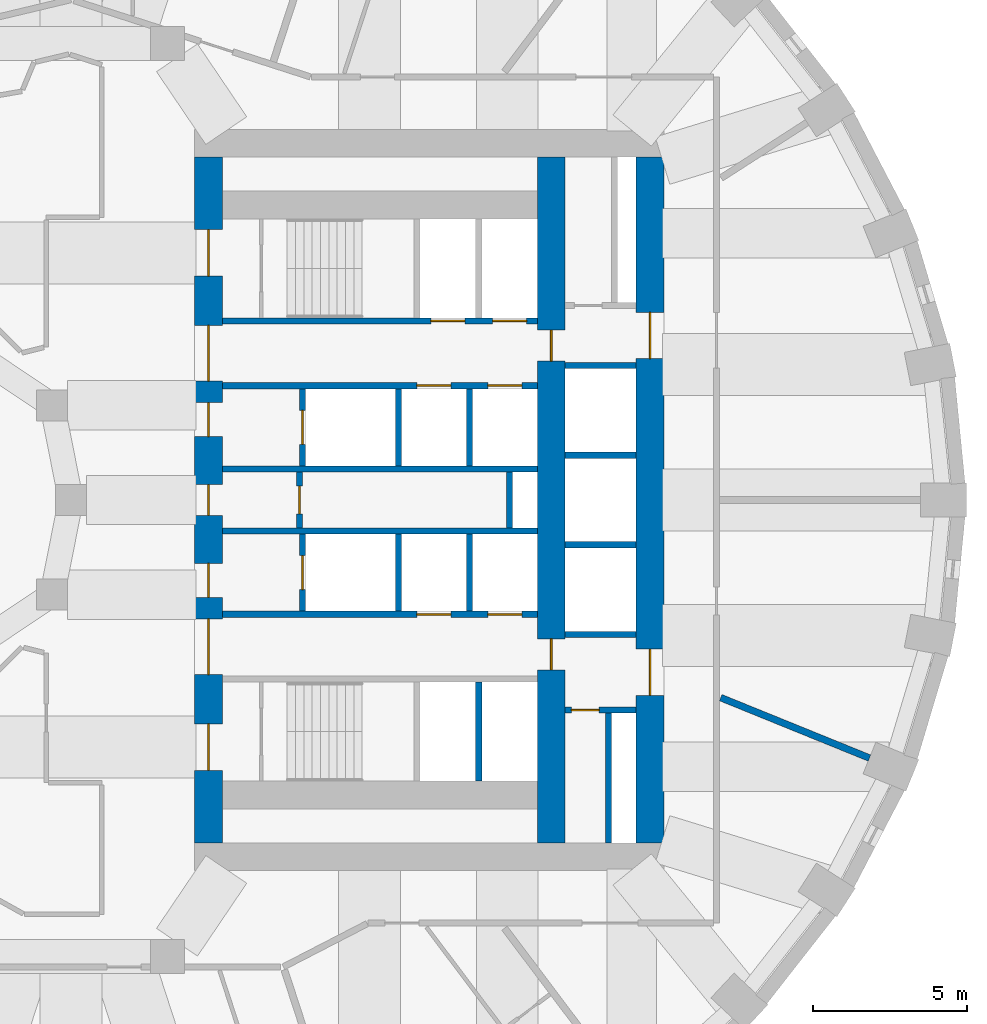
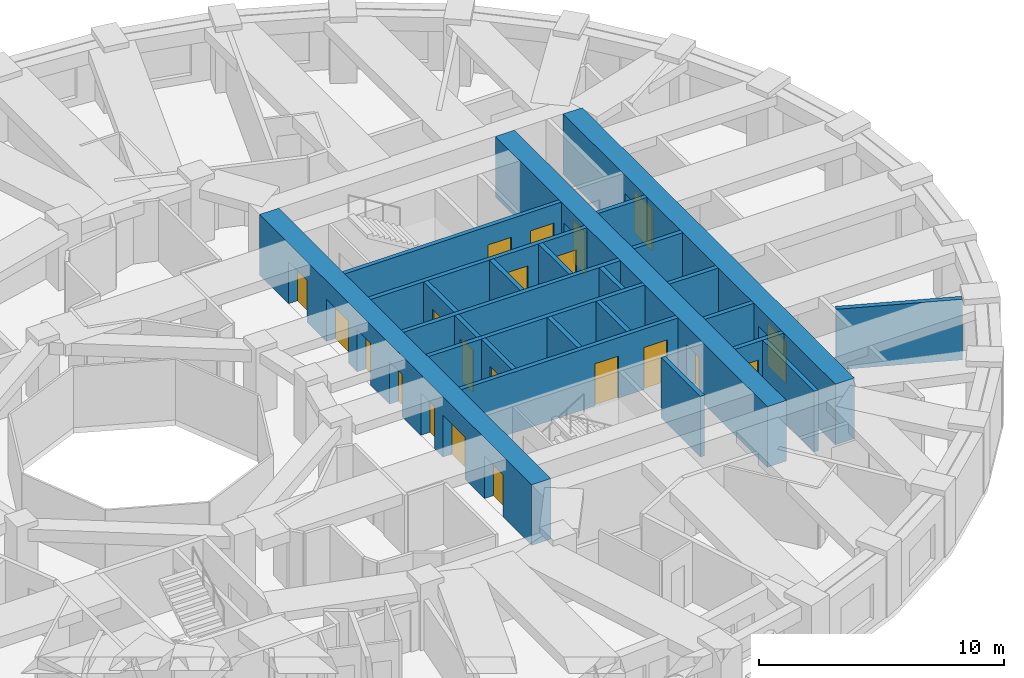
# One storey, part 6 of 13: 24 walls, 21 doors, 21 openings.
"""IFC4 building model written with IfcOpenShell, lengths in metres."""

from ifc_helpers import new_model, si_unit, direction, frame, frame_2d, origin, place, context, subcontext, project, spatial, rectangle, extrude, material, layer, layer_set, type_object, element, fill, save


model = new_model("IFC4")

# Units and contexts
model_context = context("Model", 3, precision=1e-05, world=origin(), true_north=direction((0.0, 1.0)))
body_context = subcontext(model_context, "Body", "Model", "MODEL_VIEW")
ifc_project = project(units=[si_unit("LENGTHUNIT", "METRE"), si_unit("AREAUNIT", "SQUARE_METRE"), si_unit("VOLUMEUNIT", "CUBIC_METRE"), si_unit("PLANEANGLEUNIT", "RADIAN"), si_unit("MASSUNIT", "GRAM", prefix="KILO")], contexts=[model_context])

# Site, building, storey
site_placement = place(None, origin())
site = spatial("IfcSite", under=ifc_project, at=site_placement, CompositionType="ELEMENT")
building_placement = place(site_placement, origin())
building = spatial("IfcBuilding", under=site, at=building_placement, Name="Taillehof Tower", CompositionType="ELEMENT")
storey_placement = place(building_placement, frame((0.0, 0.0, 71.199951171875)))
storey = spatial("IfcBuildingStorey", under=building, at=storey_placement, Name="L19", CompositionType="ELEMENT", Elevation=71.199951171875)

# Wall, opening, door
ifc_material_1 = material(Name="Calcium silicate masonry", Category="masonry")
ifc_layer_1 = layer(ifc_material_1, 0.199951171875)
ifc_layer_set_1 = layer_set([ifc_layer_1], Name="Compartment wall calcium silicate 200")
wall_type_1 = type_object("IfcWallType", Name="Compartment wall calcium silicate 200", PredefinedType="PARTITIONING", material=ifc_layer_set_1)
wall_1_placement = place(storey_placement, frame((7.39990234375, -0.89990234375, 0.0), z_axis=(0.0, 0.0, 1.0), x_axis=(0.0, 1.0, 0.0)))
wall_1 = element("IfcWall", 1, at=wall_1_placement, inside=storey, type_object=wall_type_1, Name="Compartment wall FW", PredefinedType="PARTITIONING", context=body_context, shape_type="SweptSolid", body=[
    extrude(rectangle(XDim=1.7998046875, YDim=0.199951171875, at=frame_2d((0.89990234375, 0.0))), origin(), (0.0, 0.0, 1.0), 3.02001953125),
])
opening_1_placement = place(wall_1_placement, frame((0.449951171875, 0.0, 0.0)))
opening_1 = element("IfcOpeningElement", 2, at=opening_1_placement, cuts=wall_1, Name="Opening D1914", PredefinedType="OPENING", context=body_context, shape_type="SweptSolid", body=[
    extrude(rectangle(XDim=0.89990234375, YDim=2.10009765625, at=frame_2d((0.449951171875, 1.050048828125))), frame((0.0, 0.10986328125, 0.0), z_axis=(0.0, -1.0, 0.0), x_axis=(1.0, 0.0, 0.0)), (0.0, 0.0, 1.0), 0.219970703125),
])
ifc_material_2 = material(Name="Steel-faced fire door", Category="steel")
door_type_1 = type_object("IfcDoorType", Name="Riser and service room door 900x2100", OperationType="SINGLE_SWING_LEFT", PredefinedType="DOOR", material=ifc_material_2)
door_1_placement = place(opening_1_placement, origin())
door_1 = element("IfcDoor", 3, at=door_1_placement, inside=storey, type_object=door_type_1, Name="Door Comms Room", OperationType="SINGLE_SWING_RIGHT", OverallHeight=2.10009765625, OverallWidth=0.89990234375, PredefinedType="DOOR", context=body_context, shape_type="SweptSolid", body=[
    extrude(rectangle(XDim=0.89990234375, YDim=2.10009765625, at=frame_2d((0.449951171875, 1.050048828125))), frame((0.0, 0.02490234375, 0.0), z_axis=(0.0, -1.0, 0.0), x_axis=(1.0, 0.0, 0.0)), (0.0, 0.0, 1.0), 0.050048828125),
])
fill(opening_1, door_1)

# Wall
wall_2_placement = place(storey_placement, frame((14.199951171875, -0.89990234375, 0.0), z_axis=(0.0, 0.0, 1.0), x_axis=(0.0, 1.0, 0.0)))
element("IfcWall", 4, at=wall_2_placement, inside=storey, type_object=wall_type_1, Name="Compartment wall FW", PredefinedType="PARTITIONING", context=body_context, shape_type="SweptSolid", body=[
    extrude(rectangle(XDim=1.7998046875, YDim=0.199951171875, at=frame_2d((0.89990234375, 0.0))), origin(), (0.0, 0.0, 1.0), 3.02001953125),
])

# Wall, opening, door
wall_3_placement = place(storey_placement, frame((16.0, -6.800048828125, 0.0), z_axis=(0.0, 0.0, 1.0), x_axis=(1.0, 0.0, 0.0)))
wall_3 = element("IfcWall", 5, at=wall_3_placement, inside=storey, type_object=wall_type_1, Name="Compartment wall FW", PredefinedType="PARTITIONING", context=body_context, shape_type="SweptSolid", body=[
    extrude(rectangle(XDim=2.300048828125, YDim=0.199951171875, at=frame_2d((1.14990234375, 0.0))), origin(), (0.0, 0.0, 1.0), 3.02001953125),
])
opening_2_placement = place(wall_3_placement, frame((0.199951171875, 0.0, 0.0)))
opening_2 = element("IfcOpeningElement", 6, at=opening_2_placement, cuts=wall_3, Name="Opening D1918", PredefinedType="OPENING", context=body_context, shape_type="SweptSolid", body=[
    extrude(rectangle(XDim=0.89990234375, YDim=2.10009765625, at=frame_2d((0.449951171875, 1.050048828125))), frame((0.0, 0.10986328125, 0.0), z_axis=(0.0, -1.0, 0.0), x_axis=(1.0, 0.0, 0.0)), (0.0, 0.0, 1.0), 0.219970703125),
])
door_2_placement = place(opening_2_placement, origin())
door_2 = element("IfcDoor", 7, at=door_2_placement, inside=storey, type_object=door_type_1, Name="Door Ice Room", OperationType="SINGLE_SWING_LEFT", OverallHeight=2.10009765625, OverallWidth=0.89990234375, PredefinedType="DOOR", context=body_context, shape_type="SweptSolid", body=[
    extrude(rectangle(XDim=0.89990234375, YDim=2.10009765625, at=frame_2d((0.449951171875, 1.050048828125))), frame((0.0, 0.02490234375, 0.0), z_axis=(0.0, -1.0, 0.0), x_axis=(1.0, 0.0, 0.0)), (0.0, 0.0, 1.0), 0.050048828125),
])
fill(opening_2, door_2)

# Walls
wall_4_placement = place(storey_placement, frame((17.39990234375, -11.10009765625, 0.0), z_axis=(0.0, 0.0, 1.0), x_axis=(0.0, 1.0, 0.0)))
element("IfcWall", 8, at=wall_4_placement, inside=storey, type_object=wall_type_1, Name="Compartment wall FW", PredefinedType="PARTITIONING", context=body_context, shape_type="SweptSolid", body=[
    extrude(rectangle(XDim=4.2001953125, YDim=0.199951171875, at=frame_2d((2.10009765625, 0.0))), origin(), (0.0, 0.0, 1.0), 3.02001953125),
])
ifc_material_3 = material(Name="Gypsum board on double steel studs with mineral wool", Category="steel")
ifc_layer_2 = layer(ifc_material_3, 0.219970703125)
ifc_layer_set_2 = layer_set([ifc_layer_2], Name="Compartment wall guest room 220")
wall_type_2 = type_object("IfcWallType", Name="Compartment wall guest room 220", PredefinedType="PARTITIONING", material=ifc_layer_set_2)
wall_5_placement = place(storey_placement, frame((25.851318359375, -8.35400390625, 0.0), z_axis=(0.0, 0.0, 1.0), x_axis=(-0.926545919269, 0.376181684145, 0.0)))
element("IfcWall", 9, at=wall_5_placement, inside=storey, type_object=wall_type_2, Name="Compartment wall", PredefinedType="PARTITIONING", context=body_context, shape_type="SweptSolid", body=[
    extrude(rectangle(XDim=5.19580078125, YDim=0.219970703125, at=frame_2d((2.597900390625, 0.0))), origin(), (0.0, 0.0, 1.0), 3.02001953125),
])

# Wall, openings, doors
ifc_material_4 = material(Name="Concrete C80/95", Category="concrete")
ifc_layer_3 = layer(ifc_material_4, 0.89990234375)
ifc_layer_set_3 = layer_set([ifc_layer_3], Name="Core wall C80/95 900")
wall_type_3 = type_object("IfcWallType", Name="Core wall C80/95 900", PredefinedType="SHEAR", material=ifc_layer_set_3)
wall_6_placement = place(storey_placement, frame((4.449951171875, -11.10009765625, 0.0), z_axis=(0.0, 0.0, 1.0), x_axis=(0.0, 1.0, 0.0)))
wall_6 = element("IfcWall", 10, at=wall_6_placement, inside=storey, type_object=wall_type_3, Name="Core wall CW01", PredefinedType="SHEAR", context=body_context, shape_type="SweptSolid", body=[
    extrude(rectangle(XDim=22.2001953125, YDim=0.89990234375, at=frame_2d((11.10009765625, 0.0))), origin(), (0.0, 0.0, 1.0), 3.02001953125),
])
opening_3_placement = place(wall_6_placement, frame((2.35009765625, 0.0, 0.0)))
opening_3 = element("IfcOpeningElement", 11, at=opening_3_placement, cuts=wall_6, Name="Opening D1901", PredefinedType="OPENING", context=body_context, shape_type="SweptSolid", body=[
    extrude(rectangle(XDim=1.5, YDim=2.10009765625, at=frame_2d((0.75, 1.050048828125))), frame((0.0, 0.4599609375, 0.0), z_axis=(0.0, -1.0, 0.0), x_axis=(1.0, 0.0, 0.0)), (0.0, 0.0, 1.0), 0.919921875),
])
opening_4_placement = place(wall_6_placement, frame((5.449951171875, 0.0, 0.0)))
opening_4 = element("IfcOpeningElement", 12, at=opening_4_placement, cuts=wall_6, Name="Opening D1902", PredefinedType="OPENING", context=body_context, shape_type="SweptSolid", body=[
    extrude(rectangle(XDim=1.800048828125, YDim=2.10009765625, at=frame_2d((0.89990234375, 1.050048828125))), frame((0.0, 0.4599609375, 0.0), z_axis=(0.0, -1.0, 0.0), x_axis=(1.0, 0.0, 0.0)), (0.0, 0.0, 1.0), 0.919921875),
])
opening_5_placement = place(wall_6_placement, frame((7.949951171875, 0.0, 0.0)))
opening_5 = element("IfcOpeningElement", 13, at=opening_5_placement, cuts=wall_6, Name="Opening D1903", PredefinedType="OPENING", context=body_context, shape_type="SweptSolid", body=[
    extrude(rectangle(XDim=1.10009765625, YDim=2.10009765625, at=frame_2d((0.550048828125, 1.050048828125))), frame((0.0, 0.4599609375, 0.0), z_axis=(0.0, -1.0, 0.0), x_axis=(1.0, 0.0, 0.0)), (0.0, 0.0, 1.0), 0.919921875),
])
opening_6_placement = place(wall_6_placement, frame((10.60009765625, 0.0, 0.0)))
opening_6 = element("IfcOpeningElement", 14, at=opening_6_placement, cuts=wall_6, Name="Opening D1904", PredefinedType="OPENING", context=body_context, shape_type="SweptSolid", body=[
    extrude(rectangle(XDim=1.0, YDim=2.10009765625, at=frame_2d((0.5, 1.050048828125))), frame((0.0, 0.4599609375, 0.0), z_axis=(0.0, -1.0, 0.0), x_axis=(1.0, 0.0, 0.0)), (0.0, 0.0, 1.0), 0.919921875),
])
opening_7_placement = place(wall_6_placement, frame((13.14990234375, 0.0, 0.0)))
opening_7 = element("IfcOpeningElement", 15, at=opening_7_placement, cuts=wall_6, Name="Opening D1905", PredefinedType="OPENING", context=body_context, shape_type="SweptSolid", body=[
    extrude(rectangle(XDim=1.10009765625, YDim=2.10009765625, at=frame_2d((0.550048828125, 1.050048828125))), frame((0.0, 0.4599609375, 0.0), z_axis=(0.0, -1.0, 0.0), x_axis=(1.0, 0.0, 0.0)), (0.0, 0.0, 1.0), 0.919921875),
])
opening_8_placement = place(wall_6_placement, frame((14.949951171875, 0.0, 0.0)))
opening_8 = element("IfcOpeningElement", 16, at=opening_8_placement, cuts=wall_6, Name="Opening D1906", PredefinedType="OPENING", context=body_context, shape_type="SweptSolid", body=[
    extrude(rectangle(XDim=1.800048828125, YDim=2.10009765625, at=frame_2d((0.89990234375, 1.050048828125))), frame((0.0, 0.4599609375, 0.0), z_axis=(0.0, -1.0, 0.0), x_axis=(1.0, 0.0, 0.0)), (0.0, 0.0, 1.0), 0.919921875),
])
opening_9_placement = place(wall_6_placement, frame((18.35009765625, 0.0, 0.0)))
opening_9 = element("IfcOpeningElement", 17, at=opening_9_placement, cuts=wall_6, Name="Opening D1907", PredefinedType="OPENING", context=body_context, shape_type="SweptSolid", body=[
    extrude(rectangle(XDim=1.5, YDim=2.10009765625, at=frame_2d((0.75, 1.050048828125))), frame((0.0, 0.4599609375, 0.0), z_axis=(0.0, -1.0, 0.0), x_axis=(1.0, 0.0, 0.0)), (0.0, 0.0, 1.0), 0.919921875),
])
ifc_material_5 = material(Name="Steel-faced fire door", Category="steel")
door_type_2 = type_object("IfcDoorType", Name="Firefighting lobby door 1100x2100", OperationType="SINGLE_SWING_RIGHT", PredefinedType="DOOR", material=ifc_material_5)
door_3_placement = place(opening_5_placement, origin())
door_3 = element("IfcDoor", 18, at=door_3_placement, inside=storey, type_object=door_type_2, Name="Firefighting lobby door FFL-S", OperationType="SINGLE_SWING_RIGHT", OverallHeight=2.10009765625, OverallWidth=1.10009765625, PredefinedType="DOOR", context=body_context, shape_type="SweptSolid", body=[
    extrude(rectangle(XDim=1.10009765625, YDim=2.10009765625, at=frame_2d((0.550048828125, 1.050048828125))), frame((0.0, 0.02490234375, 0.0), z_axis=(0.0, -1.0, 0.0), x_axis=(1.0, 0.0, 0.0)), (0.0, 0.0, 1.0), 0.050048828125),
])
fill(opening_5, door_3)
door_4_placement = place(opening_7_placement, origin())
door_4 = element("IfcDoor", 19, at=door_4_placement, inside=storey, type_object=door_type_2, Name="Firefighting lobby door FFL-N", OperationType="SINGLE_SWING_LEFT", OverallHeight=2.10009765625, OverallWidth=1.10009765625, PredefinedType="DOOR", context=body_context, shape_type="SweptSolid", body=[
    extrude(rectangle(XDim=1.10009765625, YDim=2.10009765625, at=frame_2d((0.550048828125, 1.050048828125))), frame((0.0, 0.02490234375, 0.0), z_axis=(0.0, -1.0, 0.0), x_axis=(1.0, 0.0, 0.0)), (0.0, 0.0, 1.0), 0.050048828125),
])
fill(opening_7, door_4)
ifc_material_6 = material(Name="Steel-faced fire door", Category="steel")
door_type_3 = type_object("IfcDoorType", Name="Lift lobby door 1800x2100", OperationType="DOUBLE_DOOR_SINGLE_SWING", PredefinedType="DOOR", material=ifc_material_6)
door_5_placement = place(opening_4_placement, origin())
door_5 = element("IfcDoor", 20, at=door_5_placement, inside=storey, type_object=door_type_3, Name="Lift lobby door LL-S", OperationType="DOUBLE_DOOR_SINGLE_SWING", OverallHeight=2.10009765625, OverallWidth=1.800048828125, PredefinedType="DOOR", context=body_context, shape_type="SweptSolid", body=[
    extrude(rectangle(XDim=1.800048828125, YDim=2.10009765625, at=frame_2d((0.89990234375, 1.050048828125))), frame((0.0, 0.02490234375, 0.0), z_axis=(0.0, -1.0, 0.0), x_axis=(1.0, 0.0, 0.0)), (0.0, 0.0, 1.0), 0.050048828125),
])
fill(opening_4, door_5)
door_6_placement = place(opening_8_placement, origin())
door_6 = element("IfcDoor", 21, at=door_6_placement, inside=storey, type_object=door_type_3, Name="Lift lobby door LL-N", OperationType="DOUBLE_DOOR_SINGLE_SWING", OverallHeight=2.10009765625, OverallWidth=1.800048828125, PredefinedType="DOOR", context=body_context, shape_type="SweptSolid", body=[
    extrude(rectangle(XDim=1.800048828125, YDim=2.10009765625, at=frame_2d((0.89990234375, 1.050048828125))), frame((0.0, 0.02490234375, 0.0), z_axis=(0.0, -1.0, 0.0), x_axis=(1.0, 0.0, 0.0)), (0.0, 0.0, 1.0), 0.050048828125),
])
fill(opening_8, door_6)
ifc_material_7 = material(Name="Steel-faced fire door", Category="steel")
door_type_4 = type_object("IfcDoorType", Name="Service door 1000x2100", OperationType="SINGLE_SWING_RIGHT", PredefinedType="DOOR", material=ifc_material_7)
door_7_placement = place(opening_6_placement, origin())
door_7 = element("IfcDoor", 22, at=door_7_placement, inside=storey, type_object=door_type_4, Name="Service door SV", OperationType="SINGLE_SWING_RIGHT", OverallHeight=2.10009765625, OverallWidth=1.0, PredefinedType="DOOR", context=body_context, shape_type="SweptSolid", body=[
    extrude(rectangle(XDim=1.0, YDim=2.10009765625, at=frame_2d((0.5, 1.050048828125))), frame((0.0, 0.02490234375, 0.0), z_axis=(0.0, -1.0, 0.0), x_axis=(1.0, 0.0, 0.0)), (0.0, 0.0, 1.0), 0.050048828125),
])
fill(opening_6, door_7)
ifc_material_8 = material(Name="Steel-faced fire door", Category="steel")
door_type_5 = type_object("IfcDoorType", Name="Stair door 1500x2100", OperationType="DOUBLE_DOOR_SINGLE_SWING", PredefinedType="DOOR", material=ifc_material_8)
door_8_placement = place(opening_3_placement, origin())
door_8 = element("IfcDoor", 23, at=door_8_placement, inside=storey, type_object=door_type_5, Name="Stair door S2", OperationType="DOUBLE_DOOR_SINGLE_SWING", OverallHeight=2.10009765625, OverallWidth=1.5, PredefinedType="DOOR", context=body_context, shape_type="SweptSolid", body=[
    extrude(rectangle(XDim=1.5, YDim=2.10009765625, at=frame_2d((0.75, 1.050048828125))), frame((0.0, 0.02490234375, 0.0), z_axis=(0.0, -1.0, 0.0), x_axis=(1.0, 0.0, 0.0)), (0.0, 0.0, 1.0), 0.050048828125),
])
fill(opening_3, door_8)
door_9_placement = place(opening_9_placement, origin())
door_9 = element("IfcDoor", 24, at=door_9_placement, inside=storey, type_object=door_type_5, Name="Stair door S1", OperationType="DOUBLE_DOOR_SINGLE_SWING", OverallHeight=2.10009765625, OverallWidth=1.5, PredefinedType="DOOR", context=body_context, shape_type="SweptSolid", body=[
    extrude(rectangle(XDim=1.5, YDim=2.10009765625, at=frame_2d((0.75, 1.050048828125))), frame((0.0, 0.02490234375, 0.0), z_axis=(0.0, -1.0, 0.0), x_axis=(1.0, 0.0, 0.0)), (0.0, 0.0, 1.0), 0.050048828125),
])
fill(opening_9, door_9)

wall_7_placement = place(storey_placement, frame((18.75, -11.10009765625, 0.0), z_axis=(0.0, 0.0, 1.0), x_axis=(0.0, 1.0, 0.0)))
wall_7 = element("IfcWall", 25, at=wall_7_placement, inside=storey, type_object=wall_type_3, Name="Core wall CW02", PredefinedType="SHEAR", context=body_context, shape_type="SweptSolid", body=[
    extrude(rectangle(XDim=22.2001953125, YDim=0.89990234375, at=frame_2d((11.10009765625, 0.0))), origin(), (0.0, 0.0, 1.0), 3.02001953125),
])
opening_10_placement = place(wall_7_placement, frame((15.675048828125, 0.0, 0.0)))
opening_10 = element("IfcOpeningElement", 26, at=opening_10_placement, cuts=wall_7, Name="Opening D1908", PredefinedType="OPENING", context=body_context, shape_type="SweptSolid", body=[
    extrude(rectangle(XDim=1.5, YDim=2.10009765625, at=frame_2d((0.75, 1.050048828125))), frame((0.0, 0.4599609375, 0.0), z_axis=(0.0, -1.0, 0.0), x_axis=(1.0, 0.0, 0.0)), (0.0, 0.0, 1.0), 0.919921875),
])
opening_11_placement = place(wall_7_placement, frame((4.77490234375, 0.0, 0.0)))
opening_11 = element("IfcOpeningElement", 27, at=opening_11_placement, cuts=wall_7, Name="Opening D1909", PredefinedType="OPENING", context=body_context, shape_type="SweptSolid", body=[
    extrude(rectangle(XDim=1.5, YDim=2.10009765625, at=frame_2d((0.75, 1.050048828125))), frame((0.0, 0.4599609375, 0.0), z_axis=(0.0, -1.0, 0.0), x_axis=(1.0, 0.0, 0.0)), (0.0, 0.0, 1.0), 0.919921875),
])
ifc_material_9 = material(Name="Steel-faced fire door", Category="steel")
door_type_6 = type_object("IfcDoorType", Name="Lift lobby east door 1500x2100", OperationType="DOUBLE_DOOR_SINGLE_SWING", PredefinedType="DOOR", material=ifc_material_9)
door_10_placement = place(opening_10_placement, origin())
door_10 = element("IfcDoor", 28, at=door_10_placement, inside=storey, type_object=door_type_6, Name="Lift lobby east door north", OperationType="DOUBLE_DOOR_SINGLE_SWING", OverallHeight=2.10009765625, OverallWidth=1.5, PredefinedType="DOOR", context=body_context, shape_type="SweptSolid", body=[
    extrude(rectangle(XDim=1.5, YDim=2.10009765625, at=frame_2d((0.75, 1.050048828125))), frame((0.0, 0.02490234375, 0.0), z_axis=(0.0, -1.0, 0.0), x_axis=(1.0, 0.0, 0.0)), (0.0, 0.0, 1.0), 0.050048828125),
])
fill(opening_10, door_10)
door_11_placement = place(opening_11_placement, origin())
door_11 = element("IfcDoor", 29, at=door_11_placement, inside=storey, type_object=door_type_6, Name="Lift lobby east door south", OperationType="DOUBLE_DOOR_SINGLE_SWING", OverallHeight=2.10009765625, OverallWidth=1.5, PredefinedType="DOOR", context=body_context, shape_type="SweptSolid", body=[
    extrude(rectangle(XDim=1.5, YDim=2.10009765625, at=frame_2d((0.75, 1.050048828125))), frame((0.0, 0.02490234375, 0.0), z_axis=(0.0, -1.0, 0.0), x_axis=(1.0, 0.0, 0.0)), (0.0, 0.0, 1.0), 0.050048828125),
])
fill(opening_11, door_11)

wall_8_placement = place(storey_placement, frame((15.550048828125, -11.10009765625, 0.0), z_axis=(0.0, 0.0, 1.0), x_axis=(0.0, 1.0, 0.0)))
wall_8 = element("IfcWall", 30, at=wall_8_placement, inside=storey, type_object=wall_type_3, Name="Core wall CW05", PredefinedType="SHEAR", context=body_context, shape_type="SweptSolid", body=[
    extrude(rectangle(XDim=22.2001953125, YDim=0.89990234375, at=frame_2d((11.10009765625, 0.0))), origin(), (0.0, 0.0, 1.0), 3.02001953125),
])
opening_12_placement = place(wall_8_placement, frame((15.60009765625, 0.0, 0.0)))
opening_12 = element("IfcOpeningElement", 31, at=opening_12_placement, cuts=wall_8, Name="Opening D1915", PredefinedType="OPENING", context=body_context, shape_type="SweptSolid", body=[
    extrude(rectangle(XDim=1.0, YDim=2.10009765625, at=frame_2d((0.5, 1.050048828125))), frame((0.0, 0.4599609375, 0.0), z_axis=(0.0, -1.0, 0.0), x_axis=(1.0, 0.0, 0.0)), (0.0, 0.0, 1.0), 0.919921875),
])
opening_13_placement = place(wall_8_placement, frame((5.60009765625, 0.0, 0.0)))
opening_13 = element("IfcOpeningElement", 32, at=opening_13_placement, cuts=wall_8, Name="Opening D1917", PredefinedType="OPENING", context=body_context, shape_type="SweptSolid", body=[
    extrude(rectangle(XDim=1.0, YDim=2.10009765625, at=frame_2d((0.5, 1.050048828125))), frame((0.0, 0.4599609375, 0.0), z_axis=(0.0, -1.0, 0.0), x_axis=(1.0, 0.0, 0.0)), (0.0, 0.0, 1.0), 0.919921875),
])
door_12_placement = place(opening_12_placement, origin())
door_12 = element("IfcDoor", 33, at=door_12_placement, inside=storey, type_object=door_type_4, Name="Service door strip", OperationType="SINGLE_SWING_RIGHT", OverallHeight=2.10009765625, OverallWidth=1.0, PredefinedType="DOOR", context=body_context, shape_type="SweptSolid", body=[
    extrude(rectangle(XDim=1.0, YDim=2.10009765625, at=frame_2d((0.5, 1.050048828125))), frame((0.0, 0.02490234375, 0.0), z_axis=(0.0, -1.0, 0.0), x_axis=(1.0, 0.0, 0.0)), (0.0, 0.0, 1.0), 0.050048828125),
])
fill(opening_12, door_12)
door_13_placement = place(opening_13_placement, origin())
door_13 = element("IfcDoor", 34, at=door_13_placement, inside=storey, type_object=door_type_4, Name="Service door strip", OperationType="SINGLE_SWING_LEFT", OverallHeight=2.10009765625, OverallWidth=1.0, PredefinedType="DOOR", context=body_context, shape_type="SweptSolid", body=[
    extrude(rectangle(XDim=1.0, YDim=2.10009765625, at=frame_2d((0.5, 1.050048828125))), frame((0.0, 0.02490234375, 0.0), z_axis=(0.0, -1.0, 0.0), x_axis=(1.0, 0.0, 0.0)), (0.0, 0.0, 1.0), 0.050048828125),
])
fill(opening_13, door_13)

ifc_material_10 = material(Name="Concrete C50/60", Category="concrete")
ifc_layer_4 = layer(ifc_material_10, 0.199951171875)
ifc_layer_set_4 = layer_set([ifc_layer_4], Name="Shaft wall C50/60 200")
wall_type_4 = type_object("IfcWallType", Name="Shaft wall C50/60 200", PredefinedType="SHEAR", material=ifc_layer_set_4)
wall_9_placement = place(storey_placement, frame((4.89990234375, 5.800048828125, 0.0), z_axis=(0.0, 0.0, 1.0), x_axis=(1.0, 0.0, 0.0)))
wall_9 = element("IfcWall", 35, at=wall_9_placement, inside=storey, type_object=wall_type_4, Name="Shaft wall SW", PredefinedType="SHEAR", context=body_context, shape_type="SweptSolid", body=[
    extrude(rectangle(XDim=10.2001953125, YDim=0.199951171875, at=frame_2d((5.10009765625, 0.0))), origin(), (0.0, 0.0, 1.0), 3.02001953125),
])
opening_14_placement = place(wall_9_placement, frame((6.75, 0.0, 0.0)))
opening_14 = element("IfcOpeningElement", 36, at=opening_14_placement, cuts=wall_9, Name="Opening LD1", PredefinedType="OPENING", context=body_context, shape_type="SweptSolid", body=[
    extrude(rectangle(XDim=1.10009765625, YDim=2.10009765625, at=frame_2d((0.550048828125, 1.050048828125))), frame((0.0, 0.10986328125, 0.0), z_axis=(0.0, -1.0, 0.0), x_axis=(1.0, 0.0, 0.0)), (0.0, 0.0, 1.0), 0.219970703125),
])
opening_15_placement = place(wall_9_placement, frame((8.75, 0.0, 0.0)))
opening_15 = element("IfcOpeningElement", 37, at=opening_15_placement, cuts=wall_9, Name="Opening LD1", PredefinedType="OPENING", context=body_context, shape_type="SweptSolid", body=[
    extrude(rectangle(XDim=1.10009765625, YDim=2.10009765625, at=frame_2d((0.550048828125, 1.050048828125))), frame((0.0, 0.10986328125, 0.0), z_axis=(0.0, -1.0, 0.0), x_axis=(1.0, 0.0, 0.0)), (0.0, 0.0, 1.0), 0.219970703125),
])
ifc_material_11 = material(Name="Stainless steel", Category="steel")
door_type_7 = type_object("IfcDoorType", Name="Lift landing door LD1 1100x2100", OperationType="DOUBLE_DOOR_SLIDING", PredefinedType="DOOR", material=ifc_material_11)
door_14_placement = place(opening_14_placement, origin())
door_14 = element("IfcDoor", 38, at=door_14_placement, inside=storey, type_object=door_type_7, Name="Landing door LR1", OperationType="DOUBLE_DOOR_SLIDING", OverallHeight=2.10009765625, OverallWidth=1.10009765625, PredefinedType="DOOR", context=body_context, shape_type="SweptSolid", body=[
    extrude(rectangle(XDim=1.10009765625, YDim=2.10009765625, at=frame_2d((0.550048828125, 1.050048828125))), frame((0.0, 0.02490234375, 0.0), z_axis=(0.0, -1.0, 0.0), x_axis=(1.0, 0.0, 0.0)), (0.0, 0.0, 1.0), 0.050048828125),
])
fill(opening_14, door_14)
door_15_placement = place(opening_15_placement, origin())
door_15 = element("IfcDoor", 39, at=door_15_placement, inside=storey, type_object=door_type_7, Name="Landing door LR2", OperationType="DOUBLE_DOOR_SLIDING", OverallHeight=2.10009765625, OverallWidth=1.10009765625, PredefinedType="DOOR", context=body_context, shape_type="SweptSolid", body=[
    extrude(rectangle(XDim=1.10009765625, YDim=2.10009765625, at=frame_2d((0.550048828125, 1.050048828125))), frame((0.0, 0.02490234375, 0.0), z_axis=(0.0, -1.0, 0.0), x_axis=(1.0, 0.0, 0.0)), (0.0, 0.0, 1.0), 0.050048828125),
])
fill(opening_15, door_15)

wall_10_placement = place(storey_placement, frame((4.89990234375, 3.699951171875, 0.0), z_axis=(0.0, 0.0, 1.0), x_axis=(1.0, 0.0, 0.0)))
wall_10 = element("IfcWall", 40, at=wall_10_placement, inside=storey, type_object=wall_type_4, Name="Shaft wall SW", PredefinedType="SHEAR", context=body_context, shape_type="SweptSolid", body=[
    extrude(rectangle(XDim=10.2001953125, YDim=0.199951171875, at=frame_2d((5.10009765625, 0.0))), origin(), (0.0, 0.0, 1.0), 3.02001953125),
])
opening_16_placement = place(wall_10_placement, frame((6.300048828125, 0.0, 0.0)))
opening_16 = element("IfcOpeningElement", 41, at=opening_16_placement, cuts=wall_10, Name="Opening LD1", PredefinedType="OPENING", context=body_context, shape_type="SweptSolid", body=[
    extrude(rectangle(XDim=1.10009765625, YDim=2.10009765625, at=frame_2d((0.550048828125, 1.050048828125))), frame((0.0, 0.10986328125, 0.0), z_axis=(0.0, -1.0, 0.0), x_axis=(1.0, 0.0, 0.0)), (0.0, 0.0, 1.0), 0.219970703125),
])
opening_17_placement = place(wall_10_placement, frame((8.60009765625, 0.0, 0.0)))
opening_17 = element("IfcOpeningElement", 42, at=opening_17_placement, cuts=wall_10, Name="Opening LD1", PredefinedType="OPENING", context=body_context, shape_type="SweptSolid", body=[
    extrude(rectangle(XDim=1.10009765625, YDim=2.10009765625, at=frame_2d((0.550048828125, 1.050048828125))), frame((0.0, 0.10986328125, 0.0), z_axis=(0.0, -1.0, 0.0), x_axis=(1.0, 0.0, 0.0)), (0.0, 0.0, 1.0), 0.219970703125),
])
door_16_placement = place(opening_16_placement, origin())
door_16 = element("IfcDoor", 43, at=door_16_placement, inside=storey, type_object=door_type_7, Name="Landing door LR3", OperationType="DOUBLE_DOOR_SLIDING", OverallHeight=2.10009765625, OverallWidth=1.10009765625, PredefinedType="DOOR", context=body_context, shape_type="SweptSolid", body=[
    extrude(rectangle(XDim=1.10009765625, YDim=2.10009765625, at=frame_2d((0.550048828125, 1.050048828125))), frame((0.0, 0.02490234375, 0.0), z_axis=(0.0, -1.0, 0.0), x_axis=(1.0, 0.0, 0.0)), (0.0, 0.0, 1.0), 0.050048828125),
])
fill(opening_16, door_16)
door_17_placement = place(opening_17_placement, origin())
door_17 = element("IfcDoor", 44, at=door_17_placement, inside=storey, type_object=door_type_7, Name="Landing door LR4", OperationType="DOUBLE_DOOR_SLIDING", OverallHeight=2.10009765625, OverallWidth=1.10009765625, PredefinedType="DOOR", context=body_context, shape_type="SweptSolid", body=[
    extrude(rectangle(XDim=1.10009765625, YDim=2.10009765625, at=frame_2d((0.550048828125, 1.050048828125))), frame((0.0, 0.02490234375, 0.0), z_axis=(0.0, -1.0, 0.0), x_axis=(1.0, 0.0, 0.0)), (0.0, 0.0, 1.0), 0.050048828125),
])
fill(opening_17, door_17)

# Walls
for number, where, z_axis, x_axis, name in (
    (45, (4.89990234375, 1.0, 0.0), (0.0, 0.0, 1.0), (1.0, 0.0, 0.0), "Shaft wall SW"),
    (46, (4.89990234375, -1.0, 0.0), (0.0, 0.0, 1.0), (1.0, 0.0, 0.0), "Shaft wall SW"),
):
    element("IfcWall", number, at=place(storey_placement, frame(where, z_axis=z_axis, x_axis=x_axis)), inside=storey, type_object=wall_type_4, Name=name, PredefinedType="SHEAR", context=body_context, shape_type="SweptSolid", body=[
        extrude(rectangle(XDim=10.2001953125, YDim=0.199951171875, at=frame_2d((5.10009765625, 0.0))), origin(), (0.0, 0.0, 1.0), 3.02001953125),
    ])

# Wall, openings, doors
wall_11_placement = place(storey_placement, frame((4.89990234375, -3.699951171875, 0.0), z_axis=(0.0, 0.0, 1.0), x_axis=(1.0, 0.0, 0.0)))
wall_11 = element("IfcWall", 47, at=wall_11_placement, inside=storey, type_object=wall_type_4, Name="Shaft wall SW", PredefinedType="SHEAR", context=body_context, shape_type="SweptSolid", body=[
    extrude(rectangle(XDim=10.2001953125, YDim=0.199951171875, at=frame_2d((5.10009765625, 0.0))), origin(), (0.0, 0.0, 1.0), 3.02001953125),
])
opening_18_placement = place(wall_11_placement, frame((6.300048828125, 0.0, 0.0)))
opening_18 = element("IfcOpeningElement", 48, at=opening_18_placement, cuts=wall_11, Name="Opening LD1", PredefinedType="OPENING", context=body_context, shape_type="SweptSolid", body=[
    extrude(rectangle(XDim=1.10009765625, YDim=2.10009765625, at=frame_2d((0.550048828125, 1.050048828125))), frame((0.0, 0.10986328125, 0.0), z_axis=(0.0, -1.0, 0.0), x_axis=(1.0, 0.0, 0.0)), (0.0, 0.0, 1.0), 0.219970703125),
])
opening_19_placement = place(wall_11_placement, frame((8.60009765625, 0.0, 0.0)))
opening_19 = element("IfcOpeningElement", 49, at=opening_19_placement, cuts=wall_11, Name="Opening LD1", PredefinedType="OPENING", context=body_context, shape_type="SweptSolid", body=[
    extrude(rectangle(XDim=1.10009765625, YDim=2.10009765625, at=frame_2d((0.550048828125, 1.050048828125))), frame((0.0, 0.10986328125, 0.0), z_axis=(0.0, -1.0, 0.0), x_axis=(1.0, 0.0, 0.0)), (0.0, 0.0, 1.0), 0.219970703125),
])
door_18_placement = place(opening_18_placement, origin())
door_18 = element("IfcDoor", 50, at=door_18_placement, inside=storey, type_object=door_type_7, Name="Landing door LR5", OperationType="DOUBLE_DOOR_SLIDING", OverallHeight=2.10009765625, OverallWidth=1.10009765625, PredefinedType="DOOR", context=body_context, shape_type="SweptSolid", body=[
    extrude(rectangle(XDim=1.10009765625, YDim=2.10009765625, at=frame_2d((0.550048828125, 1.050048828125))), frame((0.0, 0.02490234375, 0.0), z_axis=(0.0, -1.0, 0.0), x_axis=(1.0, 0.0, 0.0)), (0.0, 0.0, 1.0), 0.050048828125),
])
fill(opening_18, door_18)
door_19_placement = place(opening_19_placement, origin())
door_19 = element("IfcDoor", 51, at=door_19_placement, inside=storey, type_object=door_type_7, Name="Landing door LR6", OperationType="DOUBLE_DOOR_SLIDING", OverallHeight=2.10009765625, OverallWidth=1.10009765625, PredefinedType="DOOR", context=body_context, shape_type="SweptSolid", body=[
    extrude(rectangle(XDim=1.10009765625, YDim=2.10009765625, at=frame_2d((0.550048828125, 1.050048828125))), frame((0.0, 0.02490234375, 0.0), z_axis=(0.0, -1.0, 0.0), x_axis=(1.0, 0.0, 0.0)), (0.0, 0.0, 1.0), 0.050048828125),
])
fill(opening_19, door_19)

# Wall
wall_12_placement = place(storey_placement, frame((13.199951171875, -9.10009765625, 0.0), z_axis=(0.0, 0.0, 1.0), x_axis=(0.0, 1.0, 0.0)))
element("IfcWall", 52, at=wall_12_placement, inside=storey, type_object=wall_type_4, Name="Shaft wall SW", PredefinedType="SHEAR", context=body_context, shape_type="SweptSolid", body=[
    extrude(rectangle(XDim=3.2001953125, YDim=0.199951171875, at=frame_2d((1.60009765625, 0.0))), origin(), (0.0, 0.0, 1.0), 3.02001953125),
])

# Wall, opening, door
wall_13_placement = place(storey_placement, frame((7.5, 1.10009765625, 0.0), z_axis=(0.0, 0.0, 1.0), x_axis=(0.0, 1.0, 0.0)))
wall_13 = element("IfcWall", 53, at=wall_13_placement, inside=storey, type_object=wall_type_4, Name="Shaft wall SW", PredefinedType="SHEAR", context=body_context, shape_type="SweptSolid", body=[
    extrude(rectangle(XDim=2.5, YDim=0.199951171875, at=frame_2d((1.25, 0.0))), origin(), (0.0, 0.0, 1.0), 3.02001953125),
])
opening_20_placement = place(wall_13_placement, frame((0.699951171875, 0.0, 0.0)))
opening_20 = element("IfcOpeningElement", 54, at=opening_20_placement, cuts=wall_13, Name="Opening LD1", PredefinedType="OPENING", context=body_context, shape_type="SweptSolid", body=[
    extrude(rectangle(XDim=1.10009765625, YDim=2.10009765625, at=frame_2d((0.550048828125, 1.050048828125))), frame((0.0, 0.10986328125, 0.0), z_axis=(0.0, -1.0, 0.0), x_axis=(1.0, 0.0, 0.0)), (0.0, 0.0, 1.0), 0.219970703125),
])
door_20_placement = place(opening_20_placement, origin())
door_20 = element("IfcDoor", 55, at=door_20_placement, inside=storey, type_object=door_type_7, Name="Landing door FF1", OperationType="DOUBLE_DOOR_SLIDING", OverallHeight=2.10009765625, OverallWidth=1.10009765625, PredefinedType="DOOR", context=body_context, shape_type="SweptSolid", body=[
    extrude(rectangle(XDim=1.10009765625, YDim=2.10009765625, at=frame_2d((0.550048828125, 1.050048828125))), frame((0.0, 0.02490234375, 0.0), z_axis=(0.0, -1.0, 0.0), x_axis=(1.0, 0.0, 0.0)), (0.0, 0.0, 1.0), 0.050048828125),
])
fill(opening_20, door_20)

wall_14_placement = place(storey_placement, frame((7.5, -3.60009765625, 0.0), z_axis=(0.0, 0.0, 1.0), x_axis=(0.0, 1.0, 0.0)))
wall_14 = element("IfcWall", 56, at=wall_14_placement, inside=storey, type_object=wall_type_4, Name="Shaft wall SW", PredefinedType="SHEAR", context=body_context, shape_type="SweptSolid", body=[
    extrude(rectangle(XDim=2.5, YDim=0.199951171875, at=frame_2d((1.25, 0.0))), origin(), (0.0, 0.0, 1.0), 3.02001953125),
])
opening_21_placement = place(wall_14_placement, frame((0.699951171875, 0.0, 0.0)))
opening_21 = element("IfcOpeningElement", 57, at=opening_21_placement, cuts=wall_14, Name="Opening LD1", PredefinedType="OPENING", context=body_context, shape_type="SweptSolid", body=[
    extrude(rectangle(XDim=1.10009765625, YDim=2.10009765625, at=frame_2d((0.550048828125, 1.050048828125))), frame((0.0, 0.10986328125, 0.0), z_axis=(0.0, -1.0, 0.0), x_axis=(1.0, 0.0, 0.0)), (0.0, 0.0, 1.0), 0.219970703125),
])
door_21_placement = place(opening_21_placement, origin())
door_21 = element("IfcDoor", 58, at=door_21_placement, inside=storey, type_object=door_type_7, Name="Landing door FF2", OperationType="DOUBLE_DOOR_SLIDING", OverallHeight=2.10009765625, OverallWidth=1.10009765625, PredefinedType="DOOR", context=body_context, shape_type="SweptSolid", body=[
    extrude(rectangle(XDim=1.10009765625, YDim=2.10009765625, at=frame_2d((0.550048828125, 1.050048828125))), frame((0.0, 0.02490234375, 0.0), z_axis=(0.0, -1.0, 0.0), x_axis=(1.0, 0.0, 0.0)), (0.0, 0.0, 1.0), 0.050048828125),
])
fill(opening_21, door_21)

# Walls
for number, where, z_axis, x_axis, name in (
    (59, (10.60009765625, 1.10009765625, 0.0), (0.0, 0.0, 1.0), (0.0, 1.0, 0.0), "Shaft wall SW"),
    (60, (10.60009765625, -3.60009765625, 0.0), (0.0, 0.0, 1.0), (0.0, 1.0, 0.0), "Shaft wall SW"),
    (61, (12.89990234375, 1.10009765625, 0.0), (0.0, 0.0, 1.0), (0.0, 1.0, 0.0), "Shaft wall SW"),
    (62, (12.89990234375, -3.60009765625, 0.0), (0.0, 0.0, 1.0), (0.0, 1.0, 0.0), "Shaft wall SW"),
):
    element("IfcWall", number, at=place(storey_placement, frame(where, z_axis=z_axis, x_axis=x_axis)), inside=storey, type_object=wall_type_4, Name=name, PredefinedType="SHEAR", context=body_context, shape_type="SweptSolid", body=[
        extrude(rectangle(XDim=2.5, YDim=0.199951171875, at=frame_2d((1.25, 0.0))), origin(), (0.0, 0.0, 1.0), 3.02001953125),
    ])
for number, where, z_axis, x_axis, name in (
    (63, (16.0, -4.35009765625, 0.0), (0.0, 0.0, 1.0), (1.0, 0.0, 0.0), "Shaft wall SW"),
    (64, (16.0, -1.449951171875, 0.0), (0.0, 0.0, 1.0), (1.0, 0.0, 0.0), "Shaft wall SW"),
    (65, (16.0, 1.449951171875, 0.0), (0.0, 0.0, 1.0), (1.0, 0.0, 0.0), "Shaft wall SW"),
    (66, (16.0, 4.35009765625, 0.0), (0.0, 0.0, 1.0), (1.0, 0.0, 0.0), "Shaft wall SW"),
):
    element("IfcWall", number, at=place(storey_placement, frame(where, z_axis=z_axis, x_axis=x_axis)), inside=storey, type_object=wall_type_4, Name=name, PredefinedType="SHEAR", context=body_context, shape_type="SweptSolid", body=[
        extrude(rectangle(XDim=2.300048828125, YDim=0.199951171875, at=frame_2d((1.14990234375, 0.0))), origin(), (0.0, 0.0, 1.0), 3.02001953125),
    ])

save(model, "model.ifc")
